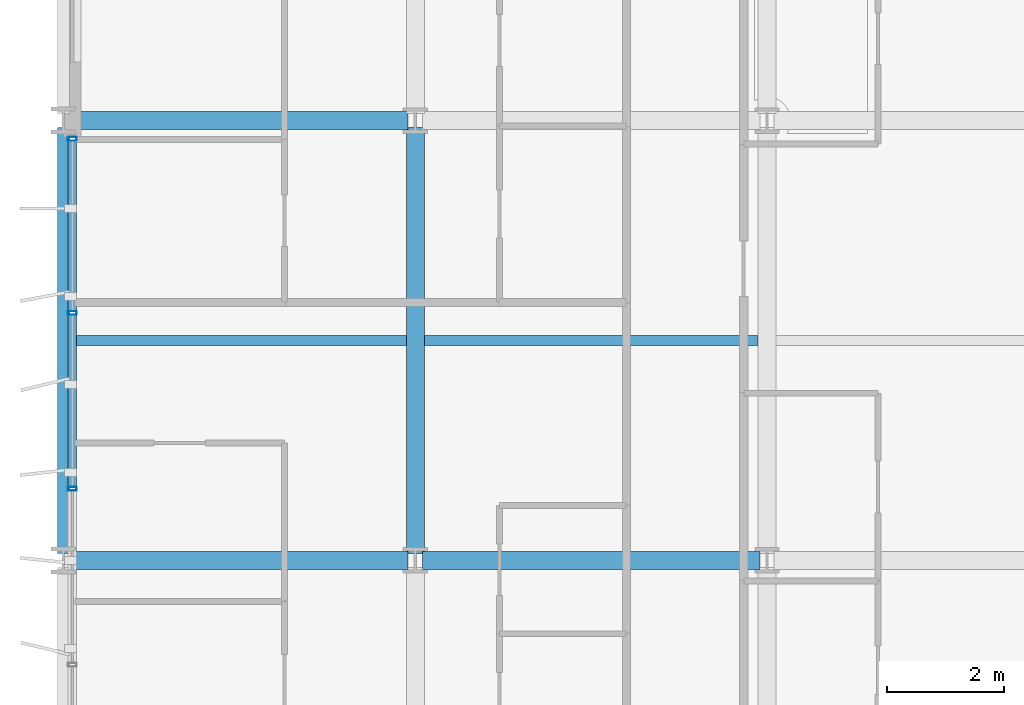
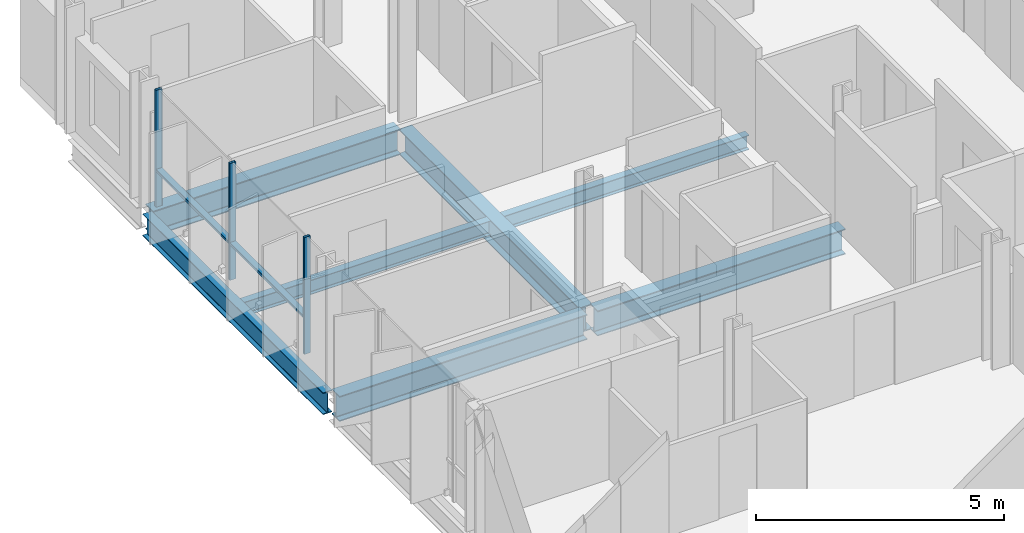
# One storey, part 5 of 38: 7 beams, 5 members, 1 element without a shape of its own.
"""IFC4 building model written with IfcOpenShell, lengths in metres."""

from ifc_helpers import new_model, si_unit, direction, frame, origin, origin_2d, place, context, subcontext, project, spatial, hollow_rectangle, i_section, extrude, material, layer, layer_set, material_profile, profile_set, type_object, element, aggregate, save


model = new_model("IFC4")

# Units and contexts
model_context = context("Model", 3, precision=1e-05, world=origin(), true_north=direction((0.0, 1.0)))
body_context = subcontext(model_context, "Body", "Model", "MODEL_VIEW")
ifc_project = project(units=[si_unit("LENGTHUNIT", "METRE"), si_unit("AREAUNIT", "SQUARE_METRE"), si_unit("VOLUMEUNIT", "CUBIC_METRE"), si_unit("PLANEANGLEUNIT", "RADIAN"), si_unit("MASSUNIT", "GRAM", prefix="KILO")], contexts=[model_context])

# Site, building, storey
site_placement = place(None, origin())
site = spatial("IfcSite", under=ifc_project, at=site_placement, CompositionType="ELEMENT")
building_placement = place(site_placement, origin())
building = spatial("IfcBuilding", under=site, at=building_placement, Name="Brevholm Reach", CompositionType="ELEMENT")
storey_placement = place(building_placement, frame((0.0, 0.0, 65.199951171875)))
storey = spatial("IfcBuildingStorey", under=building, at=storey_placement, Name="L18", CompositionType="ELEMENT", Elevation=65.199951171875)

# Beams
ifc_material_1 = material(Name="Structural Steel S355J2", Category="steel")
ifc_material_profile_1 = material_profile(ifc_material_1, i_section(OverallWidth=0.17138671875, OverallDepth=0.35498046875, WebThickness=0.00732421875, FlangeThickness=0.011474609375, FilletRadius=0.01025390625, at=origin_2d()), Name="UKB 356x171x51")
ifc_profile_set_1 = profile_set([ifc_material_profile_1], Name="Structural Steel S355J2")
beam_type_1 = type_object("IfcBeamType", Name="BM-B356", PredefinedType="BEAM", material=ifc_profile_set_1)
beam_1_placement = place(storey_placement, frame((0.10546875, 19.75, -0.407470703125), z_axis=(1.0, 0.0, 0.0), x_axis=(0.0, 1.0, 0.0)))
element("IfcBeam", 1, at=beam_1_placement, inside=storey, type_object=beam_type_1, Name="L18 Composite Secondary Floor Beam", PredefinedType="BEAM", context=body_context, shape_type="SweptSolid", body=[
    extrude(i_section(OverallWidth=0.17138671875, OverallDepth=0.35498046875, WebThickness=0.00732421875, FlangeThickness=0.011474609375, FilletRadius=0.01025390625, at=origin_2d()), origin(), (0.0, 0.0, 1.0), 5.740966796875),
])
beam_2_placement = place(storey_placement, frame((6.153564453125, 19.75, -0.407470703125), z_axis=(1.0, 0.0, 0.0), x_axis=(0.0, 1.0, 0.0)))
element("IfcBeam", 2, at=beam_2_placement, inside=storey, type_object=beam_type_1, Name="L18 Composite Secondary Floor Beam", PredefinedType="BEAM", context=body_context, shape_type="SweptSolid", body=[
    extrude(i_section(OverallWidth=0.17138671875, OverallDepth=0.35498046875, WebThickness=0.00732421875, FlangeThickness=0.011474609375, FilletRadius=0.01025390625, at=origin_2d()), origin(), (0.0, 0.0, 1.0), 5.69287109375),
])
ifc_material_2 = material(Name="Structural Steel S355J2", Category="steel")
ifc_material_profile_2 = material_profile(ifc_material_2, i_section(OverallWidth=0.210693359375, OverallDepth=0.53955078125, WebThickness=0.01171875, FlangeThickness=0.018798828125, FilletRadius=0.0126953125, at=origin_2d()), Name="UKB 533x210x109")
ifc_profile_set_2 = profile_set([ifc_material_profile_2], Name="Structural Steel S355J2")
beam_type_2 = type_object("IfcBeamType", Name="BM-SP539", PredefinedType="SPANDREL", material=ifc_profile_set_2)
beam_3_placement = place(storey_placement, frame((0.0, 16.1201171875, -0.499755859375), z_axis=(0.0, 1.0, 0.0), x_axis=(-1.0, 0.0, 0.0)))
element("IfcBeam", 3, at=beam_3_placement, inside=storey, type_object=beam_type_2, Name="L18 SP-01B Framing Beam", PredefinedType="SPANDREL", context=body_context, shape_type="SweptSolid", body=[
    extrude(i_section(OverallWidth=0.210693359375, OverallDepth=0.53955078125, WebThickness=0.01171875, FlangeThickness=0.018798828125, FilletRadius=0.0126953125, at=origin_2d()), origin(), (0.0, 0.0, 1.0), 7.259765625),
])
ifc_material_3 = material(Name="Structural Steel S355J2", Category="steel")
ifc_material_profile_3 = material_profile(ifc_material_3, i_section(OverallWidth=0.30712890625, OverallDepth=0.6201171875, WebThickness=0.01416015625, FlangeThickness=0.023681640625, FilletRadius=0.0166015625, at=origin_2d()), Name="UKB 610x305x179")
ifc_profile_set_3 = profile_set([ifc_material_profile_3], Name="Structural Steel S355J2")
beam_type_3 = type_object("IfcBeamType", Name="BM-UKB610H", PredefinedType="USERDEFINED", material=ifc_profile_set_3)
for number, where, z_axis, x_axis, name in (
    (4, (0.1201171875, 16.0, -0.5400390625), (1.0, 0.0, 0.0), (0.0, 1.0, 0.0), "L18 G-06 Framing Beam"),
    (5, (6.1201171875, 16.0, -0.5400390625), (1.0, 0.0, 0.0), (0.0, 1.0, 0.0), "L18 G-06 Framing Beam"),
    (6, (0.1201171875, 23.5, -0.5400390625), (1.0, 0.0, 0.0), (0.0, 1.0, 0.0), "L18 G-06 Framing Beam"),
):
    element("IfcBeam", number, at=place(storey_placement, frame(where, z_axis=z_axis, x_axis=x_axis)), inside=storey, type_object=beam_type_3, Name=name, ObjectType="GIRDER", PredefinedType="USERDEFINED", context=body_context, shape_type="SweptSolid", body=[
        extrude(i_section(OverallWidth=0.30712890625, OverallDepth=0.6201171875, WebThickness=0.01416015625, FlangeThickness=0.023681640625, FilletRadius=0.0166015625, at=origin_2d()), origin(), (0.0, 0.0, 1.0), 5.759765625),
    ])
beam_4_placement = place(storey_placement, frame((6.0, 16.1201171875, -0.5400390625), z_axis=(0.0, 1.0, 0.0), x_axis=(-1.0, 0.0, 0.0)))
element("IfcBeam", 7, at=beam_4_placement, inside=storey, type_object=beam_type_3, Name="L18 G-06 Framing Beam", ObjectType="GIRDER", PredefinedType="USERDEFINED", context=body_context, shape_type="SweptSolid", body=[
    extrude(i_section(OverallWidth=0.30712890625, OverallDepth=0.6201171875, WebThickness=0.01416015625, FlangeThickness=0.023681640625, FilletRadius=0.0166015625, at=origin_2d()), origin(), (0.0, 0.0, 1.0), 7.259765625),
])

# Curtain wall, members
ifc_material_4 = material(Name="Dark Anodised Aluminium 6063-T6 and Solar-Control Glass", Category="aluminium")
ifc_layer = layer(ifc_material_4, 0.14990234375)
ifc_layer_set = layer_set([ifc_layer], Name="Dark Anodised Aluminium 6063-T6 and Solar-Control Glass")
curtain_wall_type = type_object("IfcCurtainWallType", Name="CW-01", PredefinedType="NOTDEFINED", material=ifc_layer_set)
curtain_wall_placement = place(storey_placement, origin())
curtain_wall = element("IfcCurtainWall", 8, at=curtain_wall_placement, inside=storey, type_object=curtain_wall_type, Name="L18 Curtain Wall CW-01", PredefinedType="NOTDEFINED")
ifc_material_5 = material(Name="Dark Anodised Aluminium 6063-T6", Category="aluminium")
ifc_material_profile_4 = material_profile(ifc_material_5, hollow_rectangle(XDim=0.06494140625, YDim=0.14990234375, WallThickness=0.0048828125, InnerFilletRadius=0.0048828125, OuterFilletRadius=0.010009765625, at=origin_2d()), Name="RHS 150x65x5")
ifc_profile_set_4 = profile_set([ifc_material_profile_4], Name="Dark Anodised Aluminium 6063-T6")
member_type_1 = type_object("IfcMemberType", Name="CWM-150", PredefinedType="MULLION", material=ifc_profile_set_4)
member_1_placement = place(storey_placement, frame((0.14990234375, 23.1875, 0.0), z_axis=(0.0, 0.0, 1.0), x_axis=(0.0, -1.0, 0.0)))
member_1 = element("IfcMember", 9, at=member_1_placement, type_object=member_type_1, Name="CM-150 Mullion 1", PredefinedType="MULLION", context=body_context, shape_type="SweptSolid", body=[
    extrude(hollow_rectangle(XDim=0.06494140625, YDim=0.14990234375, WallThickness=0.0048828125, InnerFilletRadius=0.0048828125, OuterFilletRadius=0.010009765625, at=origin_2d()), origin(), (0.0, 0.0, 1.0), 2.8701171875),
])
member_2_placement = place(storey_placement, frame((0.14990234375, 20.219970703125, 0.0), z_axis=(0.0, 0.0, 1.0), x_axis=(0.0, -1.0, 0.0)))
member_2 = element("IfcMember", 10, at=member_2_placement, type_object=member_type_1, Name="CM-150 Mullion 2", PredefinedType="MULLION", context=body_context, shape_type="SweptSolid", body=[
    extrude(hollow_rectangle(XDim=0.06494140625, YDim=0.14990234375, WallThickness=0.0048828125, InnerFilletRadius=0.0048828125, OuterFilletRadius=0.010009765625, at=origin_2d()), origin(), (0.0, 0.0, 1.0), 2.8701171875),
])
member_3_placement = place(storey_placement, frame((0.14990234375, 17.219970703125, 0.0), z_axis=(0.0, 0.0, 1.0), x_axis=(0.0, -1.0, 0.0)))
member_3 = element("IfcMember", 11, at=member_3_placement, type_object=member_type_1, Name="CM-150 Mullion 3", PredefinedType="MULLION", context=body_context, shape_type="SweptSolid", body=[
    extrude(hollow_rectangle(XDim=0.06494140625, YDim=0.14990234375, WallThickness=0.0048828125, InnerFilletRadius=0.0048828125, OuterFilletRadius=0.010009765625, at=origin_2d()), origin(), (0.0, 0.0, 1.0), 2.8701171875),
])
ifc_material_6 = material(Name="Dark Anodised Aluminium 6063-T6", Category="aluminium")
ifc_material_profile_5 = material_profile(ifc_material_6, hollow_rectangle(XDim=0.06494140625, YDim=0.14990234375, WallThickness=0.0048828125, InnerFilletRadius=0.0048828125, OuterFilletRadius=0.010009765625, at=origin_2d()), Name="RHS 150x65x5")
ifc_profile_set_5 = profile_set([ifc_material_profile_5], Name="Dark Anodised Aluminium 6063-T6")
member_type_2 = type_object("IfcMemberType", Name="CWT-150", PredefinedType="NOTDEFINED", material=ifc_profile_set_5)
member_4_placement = place(storey_placement, frame((0.14990234375, 23.155029296875, 0.900146484375), z_axis=(0.0, -1.0, 0.0), x_axis=(0.0, 0.0, 1.0)))
member_4 = element("IfcMember", 12, at=member_4_placement, type_object=member_type_2, Name="CT-150 Transom 1.1", ObjectType="TRANSOM", PredefinedType="USERDEFINED", context=body_context, shape_type="SweptSolid", body=[
    extrude(hollow_rectangle(XDim=0.06494140625, YDim=0.14990234375, WallThickness=0.0048828125, InnerFilletRadius=0.0048828125, OuterFilletRadius=0.010009765625, at=origin_2d()), origin(), (0.0, 0.0, 1.0), 2.902587890625),
])
member_5_placement = place(storey_placement, frame((0.14990234375, 20.1875, 0.900146484375), z_axis=(0.0, -1.0, 0.0), x_axis=(0.0, 0.0, 1.0)))
member_5 = element("IfcMember", 13, at=member_5_placement, type_object=member_type_2, Name="CT-150 Transom 2.1", ObjectType="TRANSOM", PredefinedType="USERDEFINED", context=body_context, shape_type="SweptSolid", body=[
    extrude(hollow_rectangle(XDim=0.06494140625, YDim=0.14990234375, WallThickness=0.0048828125, InnerFilletRadius=0.0048828125, OuterFilletRadius=0.010009765625, at=origin_2d()), origin(), (0.0, 0.0, 1.0), 2.93505859375),
])
aggregate(curtain_wall, [member_1, member_2, member_3, member_4, member_5])

save(model, "model.ifc")
